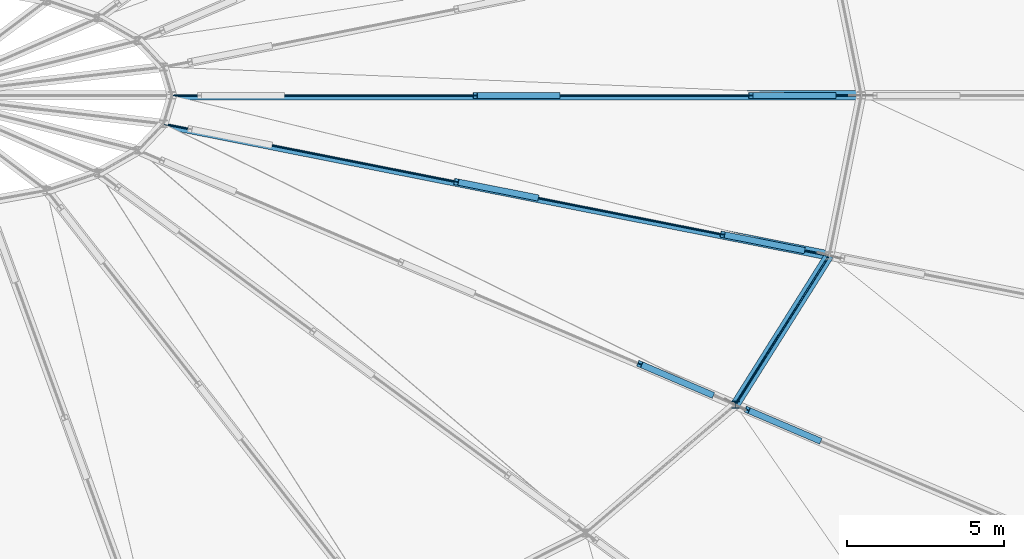
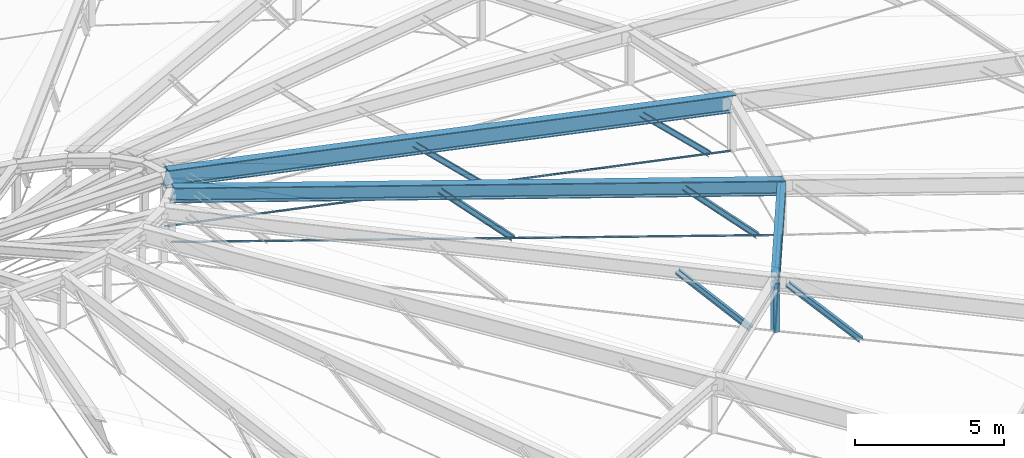
# One storey, part 23 of 83: 10 members, 3 beams.
"""IFC4 building model written with IfcOpenShell, lengths in metres."""

from ifc_helpers import new_model, si_unit, direction, frame, origin, origin_2d, place, context, subcontext, project, spatial, circle, i_section, extrude, material, material_profile, profile_set, type_object, element, save


model = new_model("IFC4")

# Units and contexts
model_context = context("Model", 3, precision=1e-05, world=origin(), true_north=direction((0.0, 1.0)))
body_context = subcontext(model_context, "Body", "Model", "MODEL_VIEW")
ifc_project = project(units=[si_unit("LENGTHUNIT", "METRE"), si_unit("AREAUNIT", "SQUARE_METRE"), si_unit("VOLUMEUNIT", "CUBIC_METRE"), si_unit("PLANEANGLEUNIT", "RADIAN"), si_unit("MASSUNIT", "GRAM", prefix="KILO")], contexts=[model_context])

# Site, building, storey
site_placement = place(None, origin())
site = spatial("IfcSite", under=ifc_project, at=site_placement, CompositionType="ELEMENT")
building_placement = place(site_placement, origin())
building = spatial("IfcBuilding", under=site, at=building_placement, Name="Kivolera Central Railway Station", CompositionType="ELEMENT")
storey_placement = place(building_placement, frame((0.0, 0.0, 14.39990234375)))
storey = spatial("IfcBuildingStorey", under=building, at=storey_placement, Name="L03", CompositionType="ELEMENT", Elevation=14.39990234375)

# Beams
ifc_material_1 = material(Name="Steel S355", Category="steel")
ifc_material_profile_1 = material_profile(ifc_material_1, i_section(OverallWidth=0.300048828125, OverallDepth=0.60009765625, WebThickness=0.015380859375, FlangeThickness=0.030029296875, FilletRadius=0.027099609375, at=origin_2d()), Name="HEB 600")
ifc_profile_set_1 = profile_set([ifc_material_profile_1], Name="Steel S355")
beam_type_1 = type_object("IfcBeamType", Name="BM-DRB-HEB600", PredefinedType="BEAM", material=ifc_profile_set_1)
beam_1_placement = place(storey_placement, frame((92.97802734375, 84.887939453125, 5.780029296875), z_axis=(-0.959575067496, 0.189921870121, 0.207714643419), x_axis=(-0.194156528124, -0.980970561529, 0.0)))
element("IfcBeam", 1, at=beam_1_placement, inside=storey, type_object=beam_type_1, Name="Oval Dome Radial Arch Rib Mid Segment DRB2-24", PredefinedType="BEAM", context=body_context, shape_type="SweptSolid", body=[
    extrude(i_section(OverallWidth=0.300048828125, OverallDepth=0.60009765625, WebThickness=0.015380859375, FlangeThickness=0.030029296875, FilletRadius=0.027099609375, at=origin_2d()), origin(), (0.0, 0.0, 1.0), 22.146240234375),
])
ifc_material_profile_2 = material_profile(ifc_material_1, i_section(OverallWidth=0.300048828125, OverallDepth=0.699951171875, WebThickness=0.01708984375, FlangeThickness=0.031982421875, FilletRadius=0.027099609375, at=origin_2d()), Name="HEB 700")
ifc_profile_set_2 = profile_set([ifc_material_profile_2], Name="Steel S355")
beam_type_2 = type_object("IfcBeamType", Name="BM-DRB-HEB700", PredefinedType="BEAM", material=ifc_profile_set_2)
beam_2_placement = place(storey_placement, frame((94.0, 90.0, 5.780029296875), z_axis=(-0.978831230203, 0.0, 0.204669056724), x_axis=(0.0, -1.0, 0.0)))
element("IfcBeam", 2, at=beam_2_placement, inside=storey, type_object=beam_type_2, Name="Oval Dome Radial Arch Rib Mid Segment DRB2-01", PredefinedType="BEAM", context=body_context, shape_type="SweptSolid", body=[
    extrude(i_section(OverallWidth=0.300048828125, OverallDepth=0.699951171875, WebThickness=0.01708984375, FlangeThickness=0.031982421875, FilletRadius=0.027099609375, at=origin_2d()), origin(), (0.0, 0.0, 1.0), 22.475830078125),
])
ifc_material_profile_3 = material_profile(ifc_material_1, i_section(OverallWidth=0.300048828125, OverallDepth=0.5, WebThickness=0.014404296875, FlangeThickness=0.028076171875, FilletRadius=0.027099609375, at=origin_2d()), Name="HEB 500")
ifc_profile_set_3 = profile_set([ifc_material_profile_3], Name="Steel S355")
beam_type_3 = type_object("IfcBeamType", Name="BM-HRG-HEB500", PredefinedType="BEAM", material=ifc_profile_set_3)
beam_3_placement = place(storey_placement, frame((89.98095703125, 80.125, 5.780029296875), z_axis=(0.532581967899, 0.846378430413, 0.0), x_axis=(-0.846378430413, 0.532581967899, 0.0)))
element("IfcBeam", 3, at=beam_3_placement, inside=storey, type_object=beam_type_3, Name="Oval Dome Outer Hoop Ring Beam HRG1-23", PredefinedType="BEAM", context=body_context, shape_type="SweptSolid", body=[
    extrude(i_section(OverallWidth=0.300048828125, OverallDepth=0.5, WebThickness=0.014404296875, FlangeThickness=0.028076171875, FilletRadius=0.027099609375, at=origin_2d()), origin(), (0.0, 0.0, 1.0), 5.62744140625),
])

# Members
ifc_material_2 = material(Name="Spiral strand steel S460", Category="steel")
ifc_material_profile_4 = material_profile(ifc_material_2, circle(Radius=0.02392578125, at=origin_2d()), Name="CABLE D48")
ifc_profile_set_4 = profile_set([ifc_material_profile_4], Name="Spiral strand steel S460")
member_type_1 = type_object("IfcMemberType", Name="MEM-CABLE-D48", PredefinedType="USERDEFINED", material=ifc_profile_set_4)
member_1_placement = place(storey_placement, frame((89.98095703125, 80.125, 3.780029296875), z_axis=(0.532581967899, 0.846378430413, 0.0), x_axis=(-0.846378430413, 0.532581967899, 0.0)))
element("IfcMember", 4, at=member_1_placement, inside=storey, type_object=member_type_1, Name="Dome Hoop Tension Cable HC1-23", ObjectType="TENSION_CABLE", PredefinedType="USERDEFINED", context=body_context, shape_type="SweptSolid", body=[
    extrude(circle(Radius=0.02392578125, at=origin_2d()), origin(), (0.0, 0.0, 1.0), 5.62744140625),
])
ifc_material_profile_5 = material_profile(ifc_material_2, circle(Radius=0.031982421875, at=origin_2d()), Name="CABLE D64")
ifc_profile_set_5 = profile_set([ifc_material_profile_5], Name="Spiral strand steel S460")
member_type_2 = type_object("IfcMemberType", Name="MEM-CABLE-D64", PredefinedType="USERDEFINED", material=ifc_profile_set_5)
member_2_placement = place(storey_placement, frame((94.0, 90.0, 3.780029296875), z_axis=(-0.978831230203, 0.0, 0.204669056724), x_axis=(0.0, -1.0, 0.0)))
element("IfcMember", 5, at=member_2_placement, inside=storey, type_object=member_type_2, Name="Dome Inner Radial Tension Cable RC2-01", ObjectType="TENSION_CABLE", PredefinedType="USERDEFINED", context=body_context, shape_type="SweptSolid", body=[
    extrude(circle(Radius=0.031982421875, at=origin_2d()), origin(), (0.0, 0.0, 1.0), 22.475830078125),
])
member_3_placement = place(storey_placement, frame((92.97802734375, 84.887939453125, 3.780029296875), z_axis=(-0.959575067496, 0.189921870121, 0.207714643419), x_axis=(-0.194156528124, -0.980970561529, 0.0)))
element("IfcMember", 6, at=member_3_placement, inside=storey, type_object=member_type_2, Name="Dome Inner Radial Tension Cable RC2-24", ObjectType="TENSION_CABLE", PredefinedType="USERDEFINED", context=body_context, shape_type="SweptSolid", body=[
    extrude(circle(Radius=0.031982421875, at=origin_2d()), origin(), (0.0, 0.0, 1.0), 22.146240234375),
])
ifc_material_profile_6 = material_profile(ifc_material_1, i_section(OverallWidth=0.239990234375, OverallDepth=0.22998046875, WebThickness=0.007568359375, FlangeThickness=0.011962890625, FilletRadius=0.02099609375, at=origin_2d()), Name="HEA 240")
ifc_profile_set_6 = profile_set([ifc_material_profile_6], Name="Steel S355")
member_type_3 = type_object("IfcMemberType", Name="MEM-RAF-HEA240", PredefinedType="STRUT", material=ifc_profile_set_6)
member_4_placement = place(storey_placement, frame((89.98095703125, 80.125, 3.780029296875), z_axis=(0.0, 0.0, 1.0), x_axis=(1.0, 0.0, 0.0)))
element("IfcMember", 7, at=member_4_placement, inside=storey, type_object=member_type_3, Name="Dome Ring Spreader Post DP1-23", PredefinedType="STRUT", context=body_context, shape_type="SweptSolid", body=[
    extrude(i_section(OverallWidth=0.239990234375, OverallDepth=0.22998046875, WebThickness=0.007568359375, FlangeThickness=0.011962890625, FilletRadius=0.02099609375, at=origin_2d()), origin(), (0.0, 0.0, 1.0), 2.0),
])
ifc_material_profile_7 = material_profile(ifc_material_1, i_section(OverallWidth=0.199951171875, OverallDepth=0.199951171875, WebThickness=0.009033203125, FlangeThickness=0.014892578125, FilletRadius=0.01806640625, at=origin_2d()), Name="HEB 200")
ifc_profile_set_7 = profile_set([ifc_material_profile_7], Name="Steel S355")
member_type_4 = type_object("IfcMemberType", Name="MEM-RAF-HEB200", PredefinedType="RAFTER", material=ifc_profile_set_7)
for number, where, z_axis, x_axis, name in (
    (8, (93.1201171875, 90.0, 3.964111328125), (-0.719006095885, 0.0, 0.695003765515), (0.0, -1.0, 0.0), "Dome Inner Truss Raking Web DWEB2-01.1"),
    (9, (84.320068359375, 90.0, 5.80419921875), (-0.719006095885, 0.0, 0.695003765515), (0.0, -1.0, 0.0), "Dome Inner Truss Raking Web DWEB2-01.2"),
):
    element("IfcMember", number, at=place(storey_placement, frame(where, z_axis=z_axis, x_axis=x_axis)), inside=storey, type_object=member_type_4, Name=name, PredefinedType="RAFTER", context=body_context, shape_type="SweptSolid", body=[
        extrude(i_section(OverallWidth=0.199951171875, OverallDepth=0.199951171875, WebThickness=0.009033203125, FlangeThickness=0.014892578125, FilletRadius=0.01806640625, at=origin_2d()), origin(), (0.0, 0.0, 1.0), 3.671875),
    ])
member_5_placement = place(storey_placement, frame((92.64794921875, 78.987060546875, 3.18798828125), z_axis=(-0.648429316167, 0.276809994309, 0.709165459527), x_axis=(-0.392614848934, -0.91970298488, 0.0)))
element("IfcMember", 10, at=member_5_placement, inside=storey, type_object=member_type_4, Name="Dome Radial Truss Raking Web DWEB1-23.3", PredefinedType="RAFTER", context=body_context, shape_type="SweptSolid", body=[
    extrude(i_section(OverallWidth=0.199951171875, OverallDepth=0.199951171875, WebThickness=0.009033203125, FlangeThickness=0.014892578125, FilletRadius=0.01806640625, at=origin_2d()), origin(), (0.0, 0.0, 1.0), 3.525390625),
])
member_6_placement = place(storey_placement, frame((89.218994140625, 80.449951171875, 3.964111328125), z_axis=(-0.641718438739, 0.273739554024, 0.716424526342), x_axis=(-0.392365547728, -0.9198093699, 0.0)))
element("IfcMember", 11, at=member_6_placement, inside=storey, type_object=member_type_4, Name="Dome Inner Truss Raking Web DWEB2-23.1", PredefinedType="RAFTER", context=body_context, shape_type="SweptSolid", body=[
    extrude(i_section(OverallWidth=0.199951171875, OverallDepth=0.199951171875, WebThickness=0.009033203125, FlangeThickness=0.014892578125, FilletRadius=0.01806640625, at=origin_2d()), origin(), (0.0, 0.0, 1.0), 3.562255859375),
])
member_7_placement = place(storey_placement, frame((92.1279296875, 85.055908203125, 3.964111328125), z_axis=(-0.70000791602, 0.13866121381, 0.700544063778), x_axis=(-0.194309748396, -0.980940223295, 0.0)))
element("IfcMember", 12, at=member_7_placement, inside=storey, type_object=member_type_4, Name="Dome Inner Truss Raking Web DWEB2-24.1", PredefinedType="RAFTER", context=body_context, shape_type="SweptSolid", body=[
    extrude(i_section(OverallWidth=0.199951171875, OverallDepth=0.199951171875, WebThickness=0.009033203125, FlangeThickness=0.014892578125, FilletRadius=0.01806640625, at=origin_2d()), origin(), (0.0, 0.0, 1.0), 3.642822265625),
])
member_8_placement = place(storey_placement, frame((83.6279296875, 86.739013671875, 5.80419921875), z_axis=(-0.700177074748, 0.138306582666, 0.700445110761), x_axis=(-0.193786418213, -0.981043742203, 0.0)))
element("IfcMember", 13, at=member_8_placement, inside=storey, type_object=member_type_4, Name="Dome Inner Truss Raking Web DWEB2-24.2", PredefinedType="RAFTER", context=body_context, shape_type="SweptSolid", body=[
    extrude(i_section(OverallWidth=0.199951171875, OverallDepth=0.199951171875, WebThickness=0.009033203125, FlangeThickness=0.014892578125, FilletRadius=0.01806640625, at=origin_2d()), origin(), (0.0, 0.0, 1.0), 3.643310546875),
])

save(model, "model.ifc")
